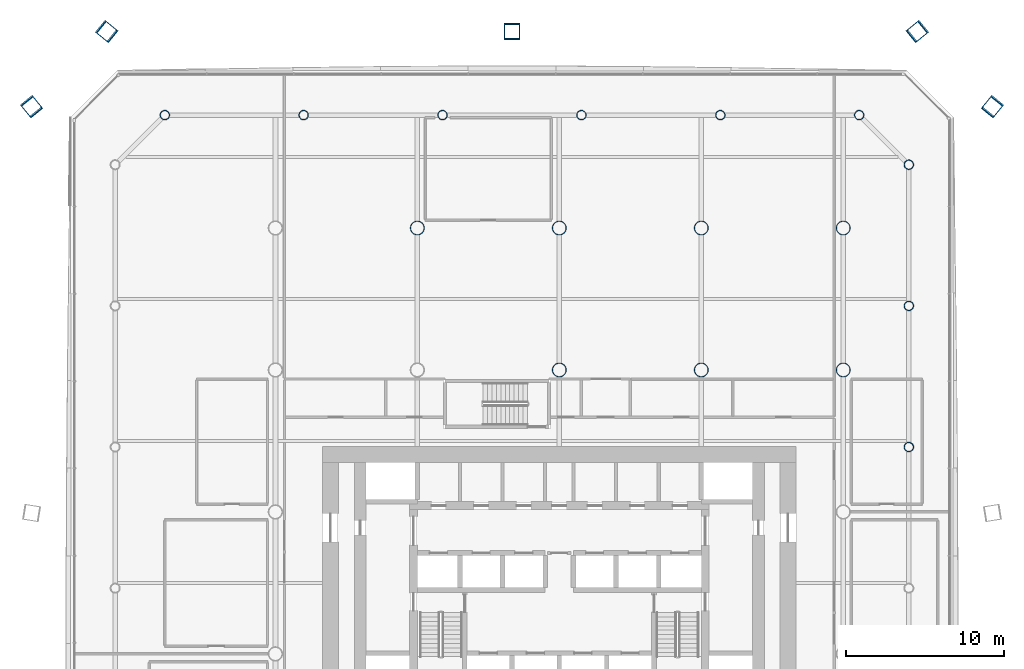
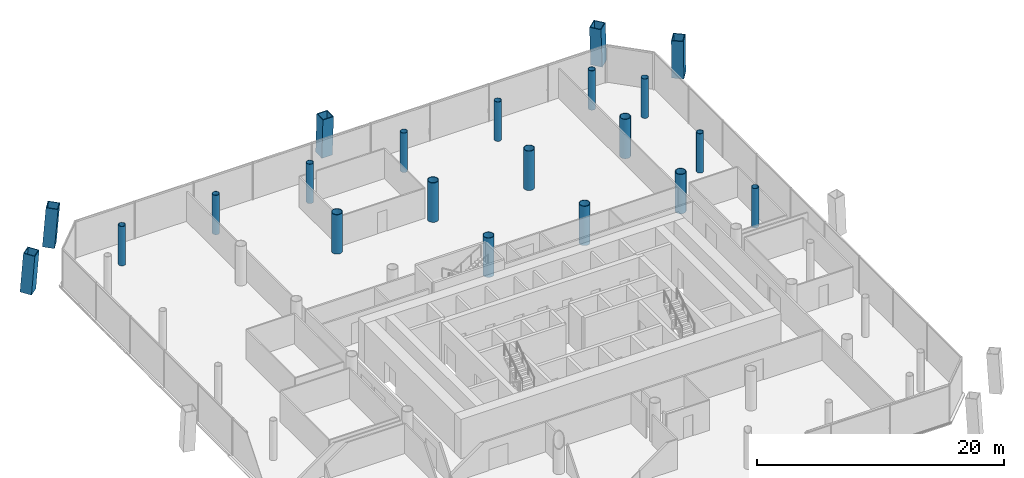
# One storey, part 2 of 22: 21 columns.
"""IFC4 building model written with IfcOpenShell, lengths in metres."""

import ifcopenshell
import ifcopenshell.guid

model = None  # the IFC model being written
_history = None  # IfcOwnerHistory: only IFC2X3 demands one
_inside = {}  # id of a spatial element -> (the spatial element, [elements in it])
_under = {}  # id of a project, library or spatial element -> (it, [spatial elements below it])
_declared = {}  # id of a project -> (the project, [libraries it declares])
_typed = {}  # id of a type object -> (the type object, [elements of that type])
_made_of = {}  # id of a material, layer set ... -> (it, [elements and type objects made of it])


def new_model(schema):
    """Start an empty IFC model of exactly this schema.

    Asked for "IFC4X3", IfcOpenShell would pick the latest addendum, in which some entities
    have other attributes; the version numbers below select the first issue.
    IFC2X3 requires an IfcOwnerHistory on every rooted entity: one is made here for all.
    """
    global model, _history
    if schema == "IFC4X3":
        model = ifcopenshell.file(schema_version=(4, 3, 0, 0))
    else:
        model = ifcopenshell.file(schema=schema)
    _inside.clear()
    _under.clear()
    _declared.clear()
    _typed.clear()
    _made_of.clear()
    _history = None
    if model.schema == "IFC2X3":
        org = make("IfcOrganization", Name="unknown")
        user = make(
            "IfcPersonAndOrganization",
            ThePerson=make("IfcPerson", FamilyName="unknown"),
            TheOrganization=org,
        )
        app = make(
            "IfcApplication",
            ApplicationDeveloper=org,
            Version="unknown",
            ApplicationFullName="unknown",
            ApplicationIdentifier="unknown",
        )
        _history = make(
            "IfcOwnerHistory",
            OwningUser=user,
            OwningApplication=app,
            ChangeAction="ADDED",
            CreationDate=0,
        )
    return model


def make(cls, **values):
    """One entity of the class cls with the attributes given. An attribute that is None is left unset."""
    return model.create_entity(
        cls, **{name: value for name, value in values.items() if value is not None}
    )


def rooted(cls, **values):
    """An entity with a GlobalId (a new one), such as an element, a storey or a relation."""
    return make(cls, GlobalId=ifcopenshell.guid.new(), OwnerHistory=_history, **values)


def si_unit(unit_type, name, prefix=None):
    """IfcSIUnit, for example si_unit("LENGTHUNIT", "METRE", prefix="MILLI")."""
    return make("IfcSIUnit", UnitType=unit_type, Prefix=prefix, Name=name)


def assignment(units):
    """IfcUnitAssignment: the units of a project."""
    return None if units is None else make("IfcUnitAssignment", Units=units)


def point(xyz):
    """IfcCartesianPoint."""
    return None if xyz is None else make("IfcCartesianPoint", Coordinates=xyz)


def direction(xyz):
    """IfcDirection."""
    return None if xyz is None else make("IfcDirection", DirectionRatios=xyz)


def frame(location, z_axis=None, x_axis=None):
    """IfcAxis2Placement3D, a coordinate frame: its origin and axes. An axis left out is left unset."""
    return make(
        "IfcAxis2Placement3D",
        Location=point(location),
        Axis=direction(z_axis),
        RefDirection=direction(x_axis),
    )


def frame_2d(location, x_axis=None):
    """IfcAxis2Placement2D, a coordinate frame in the plane: its origin and x axis."""
    return make(
        "IfcAxis2Placement2D", Location=point(location), RefDirection=direction(x_axis)
    )


def origin():
    """The frame at (0, 0, 0) with its axes left unset."""
    return frame((0.0, 0.0, 0.0))


def origin_2d():
    """The frame at (0, 0) in the plane with its x axis left unset."""
    return frame_2d((0.0, 0.0))


def place(relative_to, where):
    """IfcLocalPlacement: puts the frame where relative to a parent placement (None: the world)."""
    return make(
        "IfcLocalPlacement", PlacementRelTo=relative_to, RelativePlacement=where
    )


def context(
    kind, dimensions, precision=None, world=None, true_north=None, identifier=None
):
    """IfcGeometricRepresentationContext, for example the 3D "Model" context."""
    return make(
        "IfcGeometricRepresentationContext",
        ContextIdentifier=identifier,
        ContextType=kind,
        CoordinateSpaceDimension=dimensions,
        Precision=precision,
        WorldCoordinateSystem=world,
        TrueNorth=true_north,
    )


def subcontext(parent, identifier, kind, view, scale=None):
    """IfcGeometricRepresentationSubContext, for example "Body" below "Model"."""
    return make(
        "IfcGeometricRepresentationSubContext",
        ContextIdentifier=identifier,
        ContextType=kind,
        ParentContext=parent,
        TargetScale=scale,
        TargetView=view,
    )


def project(units=None, contexts=None):
    """IfcProject with its units and contexts."""
    return rooted(
        "IfcProject",
        Name="project",
        RepresentationContexts=contexts,
        UnitsInContext=assignment(units),
    )


def spatial(cls, under=None, at=None, **own):
    """A site, building, storey or space (cls), placed at a placement, below another one or the project."""
    s = rooted(cls, ObjectPlacement=at, **own)
    if under is not None:
        _under.setdefault(under.id(), (under, []))[1].append(s)
    return s


def profile(cls, at=None, kind="AREA", **sizes):
    """A parametric profile (cls). Its sizes go by their IFC names, for example OverallWidth=200.0."""
    return make(cls, ProfileType=kind, Position=at, **sizes)


def hollow_rectangle(**sizes):
    """IfcRectangleHollowProfileDef."""
    return profile("IfcRectangleHollowProfileDef", **sizes)


def hollow_circle(**sizes):
    """IfcCircleHollowProfileDef."""
    return profile("IfcCircleHollowProfileDef", **sizes)


def extrude(swept, where, along, depth):
    """IfcExtrudedAreaSolid: the profile swept, set in the frame where, extruded along a direction by depth."""
    return make(
        "IfcExtrudedAreaSolid",
        SweptArea=swept,
        Position=where,
        ExtrudedDirection=direction(along),
        Depth=depth,
    )


def shape(context_of_items, identifier, shape_type, items):
    """IfcShapeRepresentation: the items that make up one representation, for example the "Body"."""
    return make(
        "IfcShapeRepresentation",
        ContextOfItems=context_of_items,
        RepresentationIdentifier=identifier,
        RepresentationType=shape_type,
        Items=items,
    )


def material(Name=None, Category=None):
    """IfcMaterial."""
    return make("IfcMaterial", Name=Name, Category=Category)


def material_profile(
    of_material, cross_section, Name=None, Category=None, Priority=None
):
    """IfcMaterialProfile: a cross section and its material."""
    return make(
        "IfcMaterialProfile",
        Name=Name,
        Material=of_material,
        Profile=cross_section,
        Priority=Priority,
        Category=Category,
    )


def profile_set(profiles, Name=None, composite=None):
    """IfcMaterialProfileSet."""
    return make(
        "IfcMaterialProfileSet",
        Name=Name,
        MaterialProfiles=profiles,
        CompositeProfile=composite,
    )


def made_of(thing, what):
    """Note that an element or type object is made of a material, layer set ...; save() writes the relation."""
    if what is not None:
        _made_of.setdefault(what.id(), (what, []))[1].append(thing)
    return thing


def type_object(cls, material=None, **own):
    """A type object (cls), such as IfcWallType, which elements share."""
    return made_of(rooted(cls, **own), material)


def element(
    cls,
    number,
    at=None,
    inside=None,
    cuts=None,
    type_object=None,
    material=None,
    context=None,
    identifier="Body",
    shape_type=None,
    held_by="IfcProductDefinitionShape",
    body=None,
    shapes=None,
    **own,
):
    """One element of the class cls, such as IfcWall. Its Tag is "e" and its number.

    at: its placement. inside: the storey or other place that contains it. cuts: it is an
    opening in that element (IfcRelVoidsElement). A single representation is given by context,
    identifier, shape_type and body (its items); several are given by shapes. held_by: the class
    of the entity that holds the representations. save() writes the other relations.
    """
    e = rooted(cls, Tag="e%d" % number, ObjectPlacement=at, **own)
    if body is not None:
        shapes = [shape(context, identifier, shape_type, body)]
    if shapes is not None:
        e.Representation = make(held_by, Representations=shapes)
    if inside is not None:
        _inside.setdefault(inside.id(), (inside, []))[1].append(e)
    if cuts is not None:
        rooted(
            "IfcRelVoidsElement", RelatingBuildingElement=cuts, RelatedOpeningElement=e
        )
    if type_object is not None:
        _typed.setdefault(type_object.id(), (type_object, []))[1].append(e)
    return made_of(e, material)


def aggregate(whole, parts):
    """IfcRelAggregates: a whole, such as a stair, and the parts it consists of."""
    return rooted("IfcRelAggregates", RelatingObject=whole, RelatedObjects=parts)


def save(model, path):
    """Write the relations noted so far, then the file.

    IfcRelAggregates (storeys below a building ...), IfcRelContainedInSpatialStructure (elements
    in a storey), IfcRelDefinesByType, IfcRelAssociatesMaterial and IfcRelDeclares: one each for
    every whole, place, type object, material and project.
    """
    for whole, parts in _under.values():
        aggregate(whole, parts)
    for where, things in _inside.values():
        rooted(
            "IfcRelContainedInSpatialStructure",
            RelatedElements=things,
            RelatingStructure=where,
        )
    for kind, things in _typed.values():
        rooted("IfcRelDefinesByType", RelatedObjects=things, RelatingType=kind)
    for what, things in _made_of.values():
        rooted("IfcRelAssociatesMaterial", RelatedObjects=things, RelatingMaterial=what)
    for by, libraries in _declared.values():
        rooted("IfcRelDeclares", RelatingContext=by, RelatedDefinitions=libraries)
    model.write(path)


model = new_model("IFC4")

# Units and contexts
model_context = context("Model", 3, precision=1e-05, world=origin(), true_north=direction((0.0, 1.0)))
body_context = subcontext(model_context, "Body", "Model", "MODEL_VIEW")
ifc_project = project(units=[si_unit("LENGTHUNIT", "METRE"), si_unit("AREAUNIT", "SQUARE_METRE"), si_unit("VOLUMEUNIT", "CUBIC_METRE"), si_unit("PLANEANGLEUNIT", "RADIAN"), si_unit("MASSUNIT", "GRAM", prefix="KILO")], contexts=[model_context])

# Site, building, storey
site_placement = place(None, origin())
site = spatial("IfcSite", under=ifc_project, at=site_placement, CompositionType="ELEMENT")
building_placement = place(site_placement, origin())
building = spatial("IfcBuilding", under=site, at=building_placement, Name="Tskaro Facet Tower", CompositionType="ELEMENT")
storey_placement = place(building_placement, frame((0.0, 0.0, 18.60009765625)))
storey = spatial("IfcBuildingStorey", under=building, at=storey_placement, Name="L03", CompositionType="ELEMENT", Elevation=18.60009765625)

# Columns
ifc_material_1 = material(Name="Steel S460M", Category="steel")
ifc_material_profile_1 = material_profile(ifc_material_1, hollow_rectangle(XDim=1.0, YDim=1.0, WallThickness=0.06005859375, at=origin_2d()), Name="BOX 1000x1000x60")
ifc_profile_set_1 = profile_set([ifc_material_profile_1], Name="Steel S460M")
column_type_1 = type_object("IfcColumnType", Name="BOX 1000x1000x60 mega column", PredefinedType="COLUMN", material=ifc_profile_set_1)
for number, where, z_axis, x_axis, name in (
    (1, (27.485107421875, 25.72802734375, 0.0), (-0.046821200064, -0.057808575012, 0.997229133088), (0.777088504756, -0.629391337545, 0.0), "BOX 1000x1000x60 MC06/1"),
    (2, (22.72802734375, 30.485107421875, 0.0), (-0.057808575012, -0.046821200064, 0.997229133088), (0.629391337545, -0.777088504756, 0.0), "BOX 1000x1000x60 MC07/1"),
):
    element("IfcColumn", number, at=place(storey_placement, frame(where, z_axis=z_axis, x_axis=x_axis)), inside=storey, type_object=column_type_1, Name=name, PredefinedType="COLUMN", context=body_context, shape_type="SweptSolid", body=[
        extrude(hollow_rectangle(XDim=1.0, YDim=1.0, WallThickness=0.06005859375, at=origin_2d()), origin(), (0.0, 0.0, 1.0), 3.91064453125),
    ])
column_placement = place(storey_placement, frame((-3.0, 30.485107421875, 0.0), z_axis=(0.0, -0.046899630973, 0.998899606875), x_axis=(1.0, 0.0, 0.0)))
element("IfcColumn", 3, at=column_placement, inside=storey, type_object=column_type_1, Name="BOX 1000x1000x60 MC08/1", PredefinedType="COLUMN", context=body_context, shape_type="SweptSolid", body=[
    extrude(hollow_rectangle(XDim=1.0, YDim=1.0, WallThickness=0.06005859375, at=origin_2d()), origin(), (0.0, 0.0, 1.0), 3.904296875),
])
for number, where, z_axis, x_axis, name in (
    (4, (-28.72802734375, 30.485107421875, 0.0), (0.057808575012, -0.046821200064, 0.997229133088), (0.629391337545, 0.777088504756, 0.0), "BOX 1000x1000x60 MC09/1"),
    (5, (-33.485107421875, 25.72802734375, 0.0), (0.046821200064, -0.057808575012, 0.997229133088), (0.777088504756, 0.629391337545, 0.0), "BOX 1000x1000x60 MC10/1"),
):
    element("IfcColumn", number, at=place(storey_placement, frame(where, z_axis=z_axis, x_axis=x_axis)), inside=storey, type_object=column_type_1, Name=name, PredefinedType="COLUMN", context=body_context, shape_type="SweptSolid", body=[
        extrude(hollow_rectangle(XDim=1.0, YDim=1.0, WallThickness=0.06005859375, at=origin_2d()), origin(), (0.0, 0.0, 1.0), 3.91064453125),
    ])
ifc_material_2 = material(Name="Steel S355J2H", Category="steel")
ifc_material_profile_2 = material_profile(ifc_material_2, hollow_circle(Radius=0.304931640625, WallThickness=0.030029296875, at=origin_2d()), Name="CHS 610x30")
ifc_profile_set_2 = profile_set([ifc_material_profile_2], Name="Steel S355J2H")
column_type_2 = type_object("IfcColumnType", Name="CHS 610x30 ring column", PredefinedType="COLUMN", material=ifc_profile_set_2)
for number, where, z_axis, x_axis, name in (
    (6, (22.156982421875, 4.115966796875, 0.0), (0.0, 0.0, 1.0), (1.0, 0.0, 0.0), "CHS 610x30 RE-4/1"),
    (7, (22.156982421875, 13.06396484375, 0.0), (0.0, 0.0, 1.0), (1.0, 0.0, 0.0), "CHS 610x30 RE-5/1"),
    (8, (22.156982421875, 22.011962890625, 0.0), (0.0, 0.0, 1.0), (1.0, 0.0, 0.0), "CHS 610x30 RNE-1/1"),
    (9, (19.011962890625, 25.156982421875, 0.0), (0.0, 0.0, 1.0), (1.0, 0.0, 0.0), "CHS 610x30 RN-1/1"),
    (10, (10.20703125, 25.156982421875, 0.0), (0.0, 0.0, 1.0), (1.0, 0.0, 0.0), "CHS 610x30 RN-2/1"),
    (11, (1.402099609375, 25.156982421875, 0.0), (0.0, 0.0, 1.0), (1.0, 0.0, 0.0), "CHS 610x30 RN-3/1"),
    (12, (-7.402099609375, 25.156982421875, 0.0), (0.0, 0.0, 1.0), (1.0, 0.0, 0.0), "CHS 610x30 RN-4/1"),
    (13, (-16.20703125, 25.156982421875, 0.0), (0.0, 0.0, 1.0), (1.0, 0.0, 0.0), "CHS 610x30 RN-5/1"),
    (14, (-25.011962890625, 25.156982421875, 0.0), (0.0, 0.0, 1.0), (1.0, 0.0, 0.0), "CHS 610x30 RNW-1/1"),
):
    element("IfcColumn", number, at=place(storey_placement, frame(where, z_axis=z_axis, x_axis=x_axis)), inside=storey, type_object=column_type_2, Name=name, PredefinedType="COLUMN", context=body_context, shape_type="SweptSolid", body=[
        extrude(hollow_circle(Radius=0.304931640625, WallThickness=0.030029296875, at=origin_2d()), origin(), (0.0, 0.0, 1.0), 3.89990234375),
    ])
ifc_material_profile_3 = material_profile(ifc_material_2, hollow_circle(Radius=0.457275390625, WallThickness=0.050048828125, at=origin_2d()), Name="CHS 914.4x50")
ifc_profile_set_3 = profile_set([ifc_material_profile_3], Name="Steel S355J2H")
column_type_3 = type_object("IfcColumnType", Name="CHS 914.4x50 interior column", PredefinedType="COLUMN", material=ifc_profile_set_3)
for number, where, z_axis, x_axis, name in (
    (15, (-9.0, 18.0, 0.0), (0.0, 0.0, 1.0), (1.0, 0.0, 0.0), "CHS 914.4x50 C3F/1"),
    (16, (0.0, 9.0, 0.0), (0.0, 0.0, 1.0), (1.0, 0.0, 0.0), "CHS 914.4x50 C4E/1"),
    (17, (0.0, 18.0, 0.0), (0.0, 0.0, 1.0), (1.0, 0.0, 0.0), "CHS 914.4x50 C4F/1"),
    (18, (9.0, 9.0, 0.0), (0.0, 0.0, 1.0), (1.0, 0.0, 0.0), "CHS 914.4x50 C5E/1"),
    (19, (9.0, 18.0, 0.0), (0.0, 0.0, 1.0), (1.0, 0.0, 0.0), "CHS 914.4x50 C5F/1"),
    (20, (18.0, 9.0, 0.0), (0.0, 0.0, 1.0), (1.0, 0.0, 0.0), "CHS 914.4x50 C6E/1"),
    (21, (18.0, 18.0, 0.0), (0.0, 0.0, 1.0), (1.0, 0.0, 0.0), "CHS 914.4x50 C6F/1"),
):
    element("IfcColumn", number, at=place(storey_placement, frame(where, z_axis=z_axis, x_axis=x_axis)), inside=storey, type_object=column_type_3, Name=name, PredefinedType="COLUMN", context=body_context, shape_type="SweptSolid", body=[
        extrude(hollow_circle(Radius=0.457275390625, WallThickness=0.050048828125, at=origin_2d()), origin(), (0.0, 0.0, 1.0), 3.89990234375),
    ])

save(model, "model.ifc")
